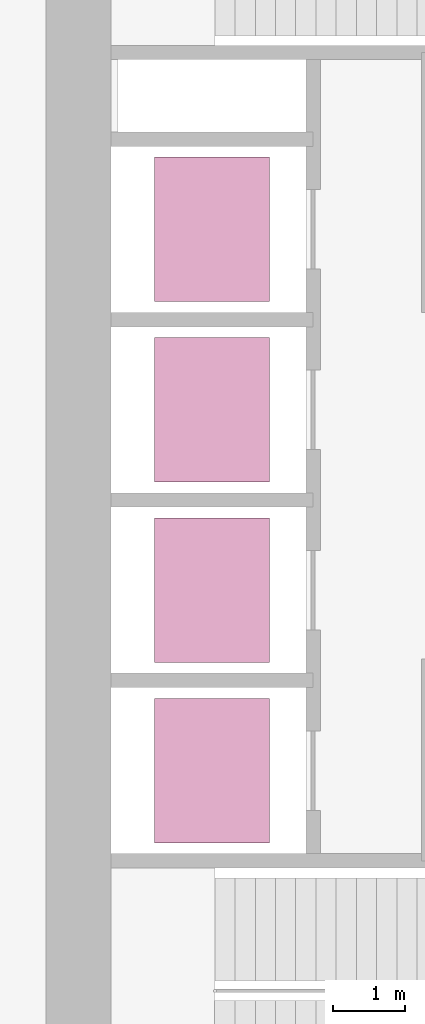
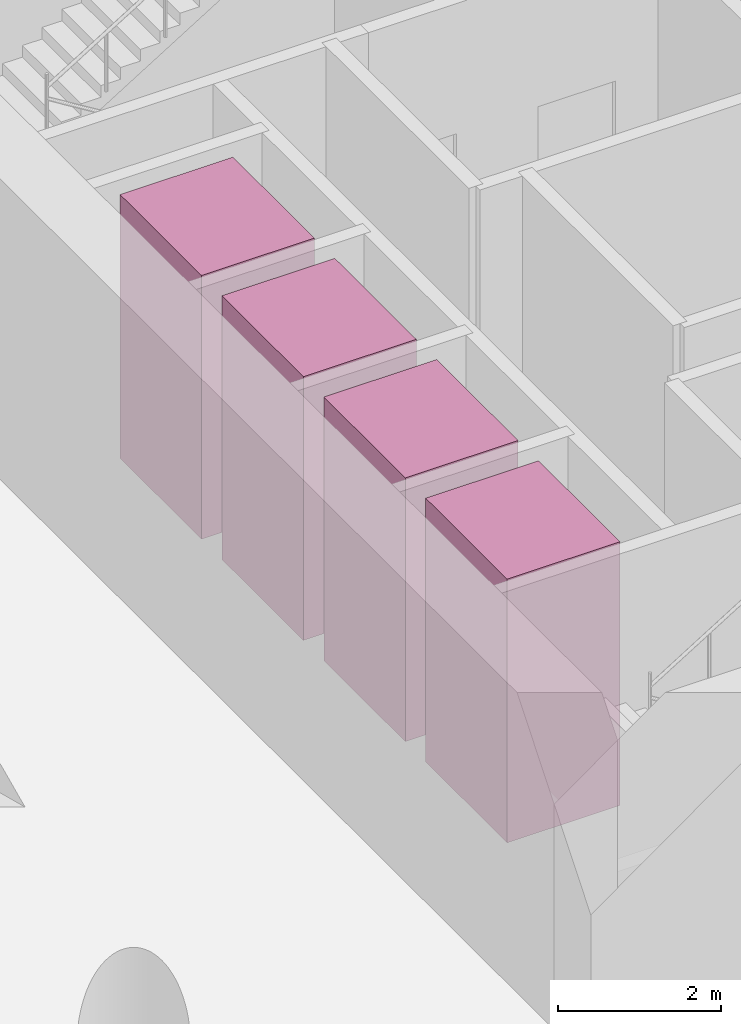
# One storey, part 18 of 19: 4 transport elements.
"""IFC4 building model written with IfcOpenShell, lengths in metres."""

from ifc_helpers import new_model, si_unit, direction, frame, origin, origin_2d, place, context, subcontext, project, spatial, rectangle, extrude, material, type_object, element, save


model = new_model("IFC4")

# Units and contexts
model_context = context("Model", 3, precision=1e-05, world=origin(), true_north=direction((0.0, 1.0)))
body_context = subcontext(model_context, "Body", "Model", "MODEL_VIEW")
ifc_project = project(units=[si_unit("LENGTHUNIT", "METRE"), si_unit("AREAUNIT", "SQUARE_METRE"), si_unit("VOLUMEUNIT", "CUBIC_METRE"), si_unit("PLANEANGLEUNIT", "RADIAN"), si_unit("MASSUNIT", "GRAM", prefix="KILO")], contexts=[model_context])

# Site, building, storey
site_placement = place(None, origin())
site = spatial("IfcSite", under=ifc_project, at=site_placement, CompositionType="ELEMENT")
building_placement = place(site_placement, origin())
building = spatial("IfcBuilding", under=site, at=building_placement, Name="Qaws Garden Tower", CompositionType="ELEMENT")
storey_placement = place(building_placement, frame((0.0, 0.0, -4.5)))
storey = spatial("IfcBuildingStorey", under=building, at=storey_placement, Name="B1", CompositionType="ELEMENT", Elevation=-4.5)

# Transport elements
ifc_material = material(Name="Stainless steel 316", Category="steel")
transport_element_type = type_object("IfcTransportElementType", Name="Passenger lift car 2000x1600 1800 kg", PredefinedType="ELEVATOR", material=ifc_material)
for number, where, z_axis, x_axis, name in (
    (1, (10.300048828125, 13.64990234375, 0.0), (0.0, 0.0, 1.0), (1.0, 0.0, 0.0), "LR1"),
    (2, (10.300048828125, 16.14990234375, 0.0), (0.0, 0.0, 1.0), (1.0, 0.0, 0.0), "LR2"),
    (3, (10.300048828125, 18.64990234375, 0.0), (0.0, 0.0, 1.0), (1.0, 0.0, 0.0), "LR3"),
    (4, (10.300048828125, 21.14990234375, 0.0), (0.0, 0.0, 1.0), (1.0, 0.0, 0.0), "LR4"),
):
    element("IfcTransportElement", number, at=place(storey_placement, frame(where, z_axis=z_axis, x_axis=x_axis)), inside=storey, type_object=transport_element_type, Name=name, PredefinedType="ELEVATOR", context=body_context, shape_type="SweptSolid", body=[
        extrude(rectangle(XDim=1.60009765625, YDim=2.0, at=origin_2d()), origin(), (0.0, 0.0, 1.0), 3.949951171875),
    ])

save(model, "model.ifc")
